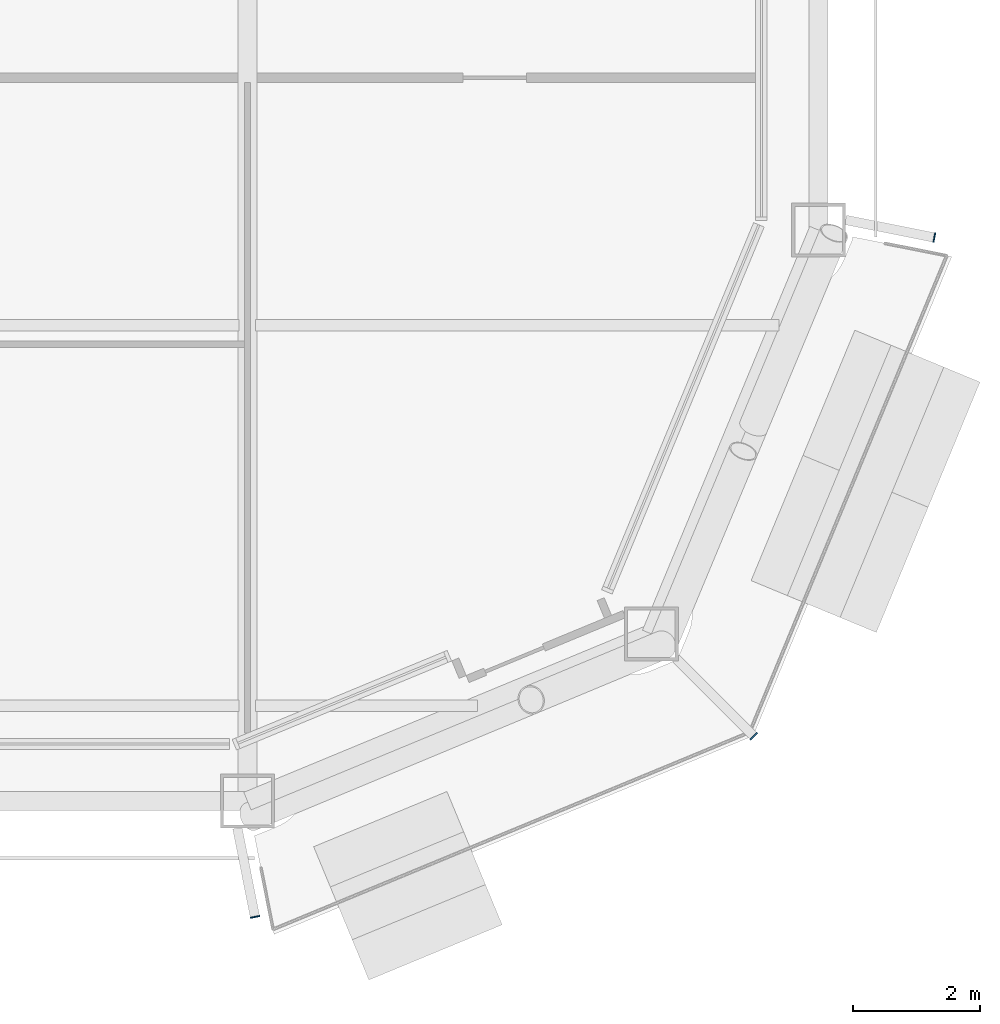
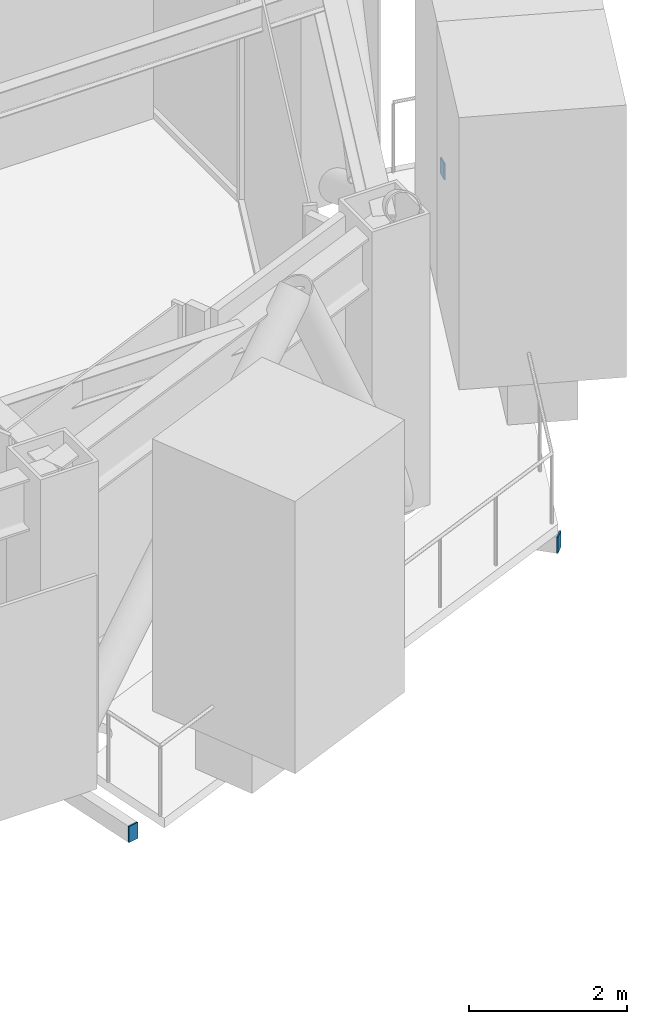
# One storey, part 16 of 22: 3 discrete accessories.
"""IFC4 building model written with IfcOpenShell, lengths in metres."""

from ifc_helpers import new_model, si_unit, direction, frame, origin, origin_2d, place, context, subcontext, project, spatial, rectangle, extrude, material, layer, layer_set, type_object, element, save


model = new_model("IFC4")

# Units and contexts
model_context = context("Model", 3, precision=1e-05, world=origin(), true_north=direction((0.0, 1.0)))
body_context = subcontext(model_context, "Body", "Model", "MODEL_VIEW")
ifc_project = project(units=[si_unit("LENGTHUNIT", "METRE"), si_unit("AREAUNIT", "SQUARE_METRE"), si_unit("VOLUMEUNIT", "CUBIC_METRE"), si_unit("PLANEANGLEUNIT", "RADIAN"), si_unit("MASSUNIT", "GRAM", prefix="KILO")], contexts=[model_context])

# Site, building, storey
site_placement = place(None, origin())
site = spatial("IfcSite", under=ifc_project, at=site_placement, CompositionType="ELEMENT")
building_placement = place(site_placement, origin())
building = spatial("IfcBuilding", under=site, at=building_placement, Name="Siwar Civic Tower", CompositionType="ELEMENT")
storey_placement = place(building_placement, frame((0.0, 0.0, 201.699951171875)))
storey = spatial("IfcBuildingStorey", under=building, at=storey_placement, Name="L43", CompositionType="ELEMENT", Elevation=201.699951171875)

# Discrete accessories
ifc_material = material(Name="Steel S355", Category="steel")
ifc_layer = layer(ifc_material, 0.02001953125)
ifc_layer_set = layer_set([ifc_layer], Name="Steel S355")
discrete_accessory_type = type_object("IfcDiscreteAccessoryType", Name="STR-END-CAP", PredefinedType="USERDEFINED", material=ifc_layer_set)
for number, where, z_axis, x_axis, name in (
    (1, (18.118408203125, -28.8251953125, -0.39990234375), (0.0, 0.0, 1.0), (0.195090321811, -0.980785280444, 0.0), "End cap plate Balcony cantilever beam SE 1"),
    (2, (25.978271484375, -25.978271484375, -0.39990234375), (0.0, 0.0, 1.0), (0.707106781187, -0.707106781187, 0.0), "End cap plate Balcony cantilever beam SE 2"),
    (3, (28.8251953125, -18.118408203125, -0.39990234375), (0.0, 0.0, 1.0), (0.980785280444, -0.195090321811, 0.0), "End cap plate Balcony cantilever beam SE 3"),
):
    element("IfcDiscreteAccessory", number, at=place(storey_placement, frame(where, z_axis=z_axis, x_axis=x_axis)), inside=storey, type_object=discrete_accessory_type, Name=name, ObjectType="END CAP PLATE", PredefinedType="USERDEFINED", context=body_context, shape_type="SweptSolid", body=[
        extrude(rectangle(XDim=0.02001953125, YDim=0.14990234375, at=origin_2d()), origin(), (0.0, 0.0, 1.0), 0.25),
    ])

save(model, "model.ifc")
